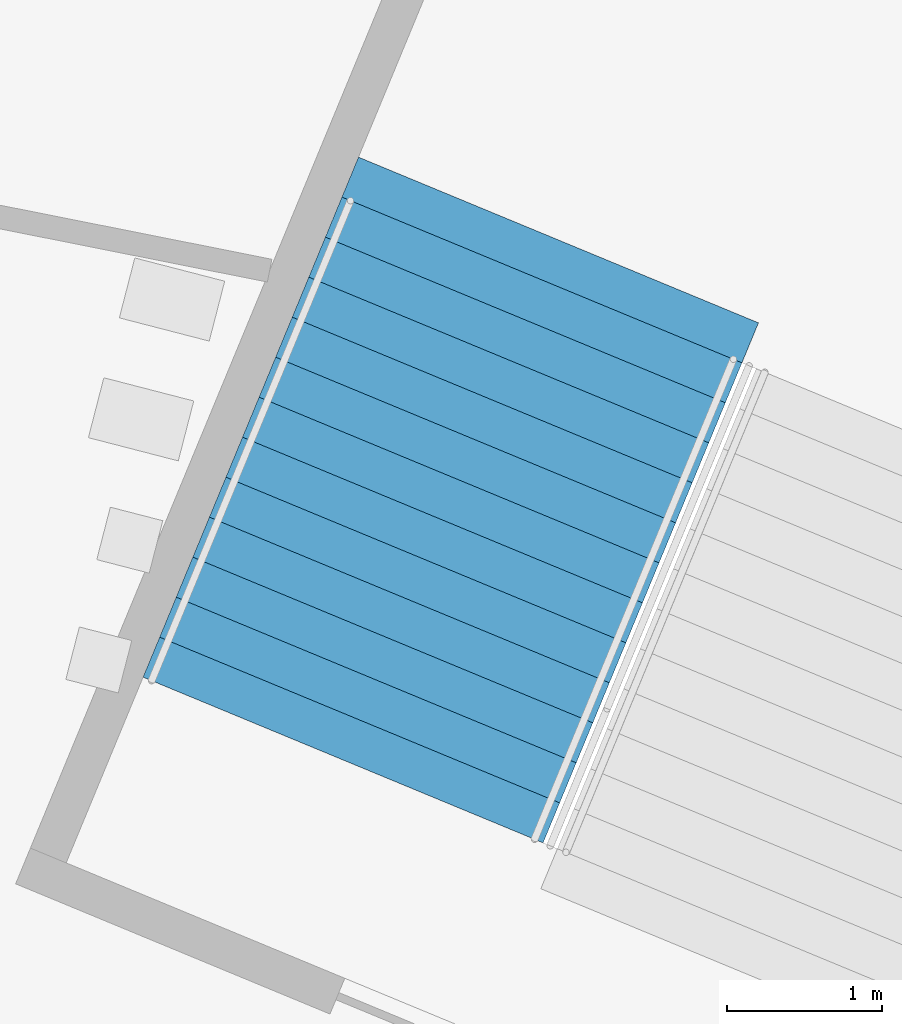
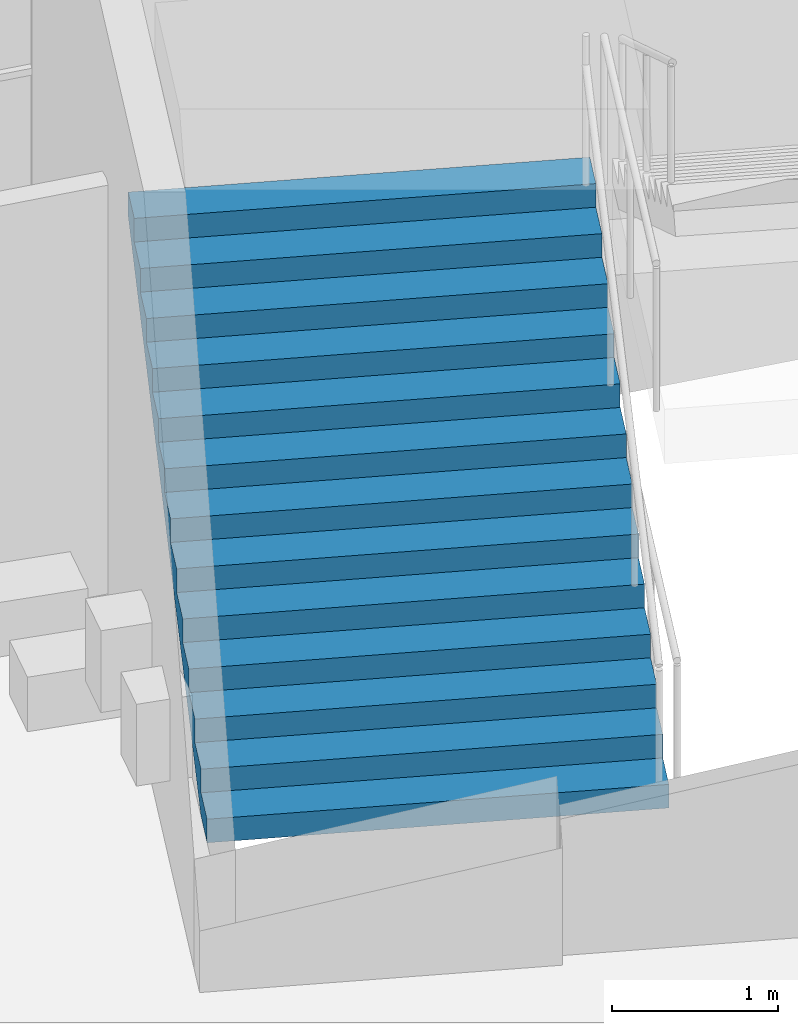
# One storey, part 160 of 177: 1 stair flight, 1 element without a shape of its own.
"""IFC4 building model written with IfcOpenShell, lengths in metres."""

from ifc_helpers import new_model, si_unit, direction, frame, origin, place, context, subcontext, project, spatial, faceted_brep, material, type_object, element, aggregate, save


model = new_model("IFC4")

# Units and contexts
model_context = context("Model", 3, precision=1e-05, world=origin(), true_north=direction((0.0, 1.0)))
body_context = subcontext(model_context, "Body", "Model", "MODEL_VIEW")
ifc_project = project(units=[si_unit("LENGTHUNIT", "METRE"), si_unit("AREAUNIT", "SQUARE_METRE"), si_unit("VOLUMEUNIT", "CUBIC_METRE"), si_unit("PLANEANGLEUNIT", "RADIAN"), si_unit("MASSUNIT", "GRAM", prefix="KILO")], contexts=[model_context])

# Site, building, storey
site_placement = place(None, origin())
site = spatial("IfcSite", under=ifc_project, at=site_placement, CompositionType="ELEMENT")
building_placement = place(site_placement, origin())
building = spatial("IfcBuilding", under=site, at=building_placement, Name="Ogive Plaza Stadium", CompositionType="ELEMENT")
storey_placement = place(building_placement, frame((0.0, 0.0, 18.0)))
storey = spatial("IfcBuildingStorey", under=building, at=storey_placement, Name="L04", CompositionType="ELEMENT", Elevation=18.0)

# Stair, stair flight
ifc_material_1 = material(Name="Concrete C40/50", Category="concrete")
stair_type = type_object("IfcStairType", Name="Exit stair", PredefinedType="STRAIGHT_RUN_STAIR", material=ifc_material_1)
stair_placement = place(storey_placement, origin())
stair = element("IfcStair", 1, at=stair_placement, inside=storey, type_object=stair_type, Name="Exit stair ST38B L04 to L05", PredefinedType="STRAIGHT_RUN_STAIR")
ifc_material_2 = material(Name="Concrete C40/50", Category="concrete")
stair_flight_type = type_object("IfcStairFlightType", Name="Exit stair flight", PredefinedType="STRAIGHT", material=ifc_material_2)
stair_flight_placement = place(storey_placement, frame((46.118408203125, 93.319580078125, 0.0), z_axis=(0.0, 0.0, 1.0), x_axis=(0.382683432365, 0.923879532511, 0.0)))
stair_flight = element("IfcStairFlight", 2, at=stair_flight_placement, type_object=stair_flight_type, Name="ST38B flight 1", NumberOfRisers=13, NumberOfTreads=12, PredefinedType="STRAIGHT", RiserHeight=0.173076923, TreadLength=0.28, context=body_context, shape_type="Brep", body=[
    faceted_brep([(0.28515625, -1.39990234375, 0.0), (3.639892578125, -1.39990234375, 2.07373046875), (3.639892578125, -1.39990234375, 2.25), (3.360107421875, -1.39990234375, 2.25), (3.360107421875, -1.39990234375, 2.076904296875), (3.080078125, -1.39990234375, 2.076904296875), (3.080078125, -1.39990234375, 1.90380859375), (2.800048828125, -1.39990234375, 1.90380859375), (2.800048828125, -1.39990234375, 1.730712890625), (2.52001953125, -1.39990234375, 1.730712890625), (2.52001953125, -1.39990234375, 1.5576171875), (2.239990234375, -1.39990234375, 1.5576171875), (2.239990234375, -1.39990234375, 1.384521484375), (1.9599609375, -1.39990234375, 1.384521484375), (1.9599609375, -1.39990234375, 1.21142578125), (1.679931640625, -1.39990234375, 1.21142578125), (1.679931640625, -1.39990234375, 1.03857421875), (1.39990234375, -1.39990234375, 1.03857421875), (1.39990234375, -1.39990234375, 0.865478515625), (1.1201171875, -1.39990234375, 0.865478515625), (1.1201171875, -1.39990234375, 0.6923828125), (0.840087890625, -1.39990234375, 0.6923828125), (0.840087890625, -1.39990234375, 0.519287109375), (0.56005859375, -1.39990234375, 0.519287109375), (0.56005859375, -1.39990234375, 0.34619140625), (0.280029296875, -1.39990234375, 0.34619140625), (0.280029296875, -1.39990234375, 0.173095703125), (0.0, -1.39990234375, 0.173095703125), (0.0, -1.39990234375, 0.0), (0.0, 1.39990234375, 0.0), (0.0, 1.39990234375, 0.173095703125), (0.280029296875, 1.39990234375, 0.173095703125), (0.280029296875, 1.39990234375, 0.34619140625), (0.56005859375, 1.39990234375, 0.34619140625), (0.56005859375, 1.39990234375, 0.519287109375), (0.840087890625, 1.39990234375, 0.519287109375), (0.840087890625, 1.39990234375, 0.6923828125), (1.1201171875, 1.39990234375, 0.6923828125), (1.1201171875, 1.39990234375, 0.865478515625), (1.39990234375, 1.39990234375, 0.865478515625), (1.39990234375, 1.39990234375, 1.03857421875), (1.679931640625, 1.39990234375, 1.03857421875), (1.679931640625, 1.39990234375, 1.21142578125), (1.9599609375, 1.39990234375, 1.21142578125), (1.9599609375, 1.39990234375, 1.384521484375), (2.239990234375, 1.39990234375, 1.384521484375), (2.239990234375, 1.39990234375, 1.5576171875), (2.52001953125, 1.39990234375, 1.5576171875), (2.52001953125, 1.39990234375, 1.730712890625), (2.800048828125, 1.39990234375, 1.730712890625), (2.800048828125, 1.39990234375, 1.90380859375), (3.080078125, 1.39990234375, 1.90380859375), (3.080078125, 1.39990234375, 2.076904296875), (3.360107421875, 1.39990234375, 2.076904296875), (3.360107421875, 1.39990234375, 2.25), (3.639892578125, 1.39990234375, 2.25), (3.639892578125, 1.39990234375, 2.07373046875), (0.28515625, 1.39990234375, 0.0), (0.28515625, -1.0888671875, 0.0), (3.639892578125, -1.0888671875, 2.07373046875), (0.28515625, -0.77783203125, 0.0), (3.639892578125, -0.77783203125, 2.07373046875), (0.28515625, -0.466796875, 0.0), (3.639892578125, -0.466796875, 2.07373046875), (0.28515625, -0.155517578125, 0.0), (3.639892578125, -0.155517578125, 2.07373046875), (0.28515625, 0.155517578125, 0.0), (3.639892578125, 0.155517578125, 2.07373046875), (0.28515625, 0.466796875, 0.0), (3.639892578125, 0.466796875, 2.07373046875), (0.28515625, 0.77783203125, 0.0), (3.639892578125, 0.77783203125, 2.07373046875), (0.28515625, 1.0888671875, 0.0), (3.639892578125, 1.0888671875, 2.07373046875), (3.639892578125, -1.0888671875, 2.25), (3.639892578125, -0.77783203125, 2.25), (3.639892578125, -0.466796875, 2.25), (3.639892578125, -0.155517578125, 2.25), (3.639892578125, 0.155517578125, 2.25), (3.639892578125, 0.466796875, 2.25), (3.639892578125, 0.77783203125, 2.25), (3.639892578125, 1.0888671875, 2.25), (3.360107421875, -1.0888671875, 2.25), (3.360107421875, -0.77783203125, 2.25), (3.360107421875, -0.466796875, 2.25), (3.360107421875, -0.155517578125, 2.25), (3.360107421875, 0.155517578125, 2.25), (3.360107421875, 0.466796875, 2.25), (3.360107421875, 0.77783203125, 2.25), (3.360107421875, 1.0888671875, 2.25), (3.360107421875, -1.0888671875, 2.076904296875), (3.360107421875, -0.77783203125, 2.076904296875), (3.360107421875, -0.466796875, 2.076904296875), (3.360107421875, -0.155517578125, 2.076904296875), (3.360107421875, 0.155517578125, 2.076904296875), (3.360107421875, 0.466796875, 2.076904296875), (3.360107421875, 0.77783203125, 2.076904296875), (3.360107421875, 1.0888671875, 2.076904296875), (3.080078125, -1.0888671875, 2.076904296875), (3.080078125, -0.77783203125, 2.076904296875), (3.080078125, -0.466796875, 2.076904296875), (3.080078125, -0.155517578125, 2.076904296875), (3.080078125, 0.155517578125, 2.076904296875), (3.080078125, 0.466796875, 2.076904296875), (3.080078125, 0.77783203125, 2.076904296875), (3.080078125, 1.0888671875, 2.076904296875), (3.080078125, -1.0888671875, 1.90380859375), (3.080078125, -0.77783203125, 1.90380859375), (3.080078125, -0.466796875, 1.90380859375), (3.080078125, -0.155517578125, 1.90380859375), (3.080078125, 0.155517578125, 1.90380859375), (3.080078125, 0.466796875, 1.90380859375), (3.080078125, 0.77783203125, 1.90380859375), (3.080078125, 1.0888671875, 1.90380859375), (2.800048828125, -1.0888671875, 1.90380859375), (2.800048828125, -0.77783203125, 1.90380859375), (2.800048828125, -0.466796875, 1.90380859375), (2.800048828125, -0.155517578125, 1.90380859375), (2.800048828125, 0.155517578125, 1.90380859375), (2.800048828125, 0.466796875, 1.90380859375), (2.800048828125, 0.77783203125, 1.90380859375), (2.800048828125, 1.0888671875, 1.90380859375), (2.800048828125, -1.0888671875, 1.730712890625), (2.800048828125, -0.77783203125, 1.730712890625), (2.800048828125, -0.466796875, 1.730712890625), (2.800048828125, -0.155517578125, 1.730712890625), (2.800048828125, 0.155517578125, 1.730712890625), (2.800048828125, 0.466796875, 1.730712890625), (2.800048828125, 0.77783203125, 1.730712890625), (2.800048828125, 1.0888671875, 1.730712890625), (2.52001953125, -1.0888671875, 1.730712890625), (2.52001953125, -0.77783203125, 1.730712890625), (2.52001953125, -0.466796875, 1.730712890625), (2.52001953125, -0.155517578125, 1.730712890625), (2.52001953125, 0.155517578125, 1.730712890625), (2.52001953125, 0.466796875, 1.730712890625), (2.52001953125, 0.77783203125, 1.730712890625), (2.52001953125, 1.0888671875, 1.730712890625), (2.52001953125, -1.0888671875, 1.5576171875), (2.52001953125, -0.77783203125, 1.5576171875), (2.52001953125, -0.466796875, 1.5576171875), (2.52001953125, -0.155517578125, 1.5576171875), (2.52001953125, 0.155517578125, 1.5576171875), (2.52001953125, 0.466796875, 1.5576171875), (2.52001953125, 0.77783203125, 1.5576171875), (2.52001953125, 1.0888671875, 1.5576171875), (2.239990234375, -1.0888671875, 1.5576171875), (2.239990234375, -0.77783203125, 1.5576171875), (2.239990234375, -0.466796875, 1.5576171875), (2.239990234375, -0.155517578125, 1.5576171875), (2.239990234375, 0.155517578125, 1.5576171875), (2.239990234375, 0.466796875, 1.5576171875), (2.239990234375, 0.77783203125, 1.5576171875), (2.239990234375, 1.0888671875, 1.5576171875), (2.239990234375, -1.0888671875, 1.384521484375), (2.239990234375, -0.77783203125, 1.384521484375), (2.239990234375, -0.466796875, 1.384521484375), (2.239990234375, -0.155517578125, 1.384521484375), (2.239990234375, 0.155517578125, 1.384521484375), (2.239990234375, 0.466796875, 1.384521484375), (2.239990234375, 0.77783203125, 1.384521484375), (2.239990234375, 1.0888671875, 1.384521484375), (1.9599609375, -1.0888671875, 1.384521484375), (1.9599609375, -0.77783203125, 1.384521484375), (1.9599609375, -0.466796875, 1.384521484375), (1.9599609375, -0.155517578125, 1.384521484375), (1.9599609375, 0.155517578125, 1.384521484375), (1.9599609375, 0.466796875, 1.384521484375), (1.9599609375, 0.77783203125, 1.384521484375), (1.9599609375, 1.0888671875, 1.384521484375), (1.9599609375, -1.0888671875, 1.21142578125), (1.9599609375, -0.77783203125, 1.21142578125), (1.9599609375, -0.466796875, 1.21142578125), (1.9599609375, -0.155517578125, 1.21142578125), (1.9599609375, 0.155517578125, 1.21142578125), (1.9599609375, 0.466796875, 1.21142578125), (1.9599609375, 0.77783203125, 1.21142578125), (1.9599609375, 1.0888671875, 1.21142578125), (1.679931640625, -1.0888671875, 1.21142578125), (1.679931640625, -0.77783203125, 1.21142578125), (1.679931640625, -0.466796875, 1.21142578125), (1.679931640625, -0.155517578125, 1.21142578125), (1.679931640625, 0.155517578125, 1.21142578125), (1.679931640625, 0.466796875, 1.21142578125), (1.679931640625, 0.77783203125, 1.21142578125), (1.679931640625, 1.0888671875, 1.21142578125), (1.679931640625, -1.0888671875, 1.03857421875), (1.679931640625, -0.77783203125, 1.03857421875), (1.679931640625, -0.466796875, 1.03857421875), (1.679931640625, -0.155517578125, 1.03857421875), (1.679931640625, 0.155517578125, 1.03857421875), (1.679931640625, 0.466796875, 1.03857421875), (1.679931640625, 0.77783203125, 1.03857421875), (1.679931640625, 1.0888671875, 1.03857421875), (1.39990234375, -1.0888671875, 1.03857421875), (1.39990234375, -0.77783203125, 1.03857421875), (1.39990234375, -0.466796875, 1.03857421875), (1.39990234375, -0.155517578125, 1.03857421875), (1.39990234375, 0.155517578125, 1.03857421875), (1.39990234375, 0.466796875, 1.03857421875), (1.39990234375, 0.77783203125, 1.03857421875), (1.39990234375, 1.0888671875, 1.03857421875), (1.39990234375, -1.0888671875, 0.865478515625), (1.39990234375, -0.77783203125, 0.865478515625), (1.39990234375, -0.466796875, 0.865478515625), (1.39990234375, -0.155517578125, 0.865478515625), (1.39990234375, 0.155517578125, 0.865478515625), (1.39990234375, 0.466796875, 0.865478515625), (1.39990234375, 0.77783203125, 0.865478515625), (1.39990234375, 1.0888671875, 0.865478515625), (1.1201171875, -1.0888671875, 0.865478515625), (1.1201171875, -0.77783203125, 0.865478515625), (1.1201171875, -0.466796875, 0.865478515625), (1.1201171875, -0.155517578125, 0.865478515625), (1.1201171875, 0.155517578125, 0.865478515625), (1.1201171875, 0.466796875, 0.865478515625), (1.1201171875, 0.77783203125, 0.865478515625), (1.1201171875, 1.0888671875, 0.865478515625), (1.1201171875, -1.0888671875, 0.6923828125), (1.1201171875, -0.77783203125, 0.6923828125), (1.1201171875, -0.466796875, 0.6923828125), (1.1201171875, -0.155517578125, 0.6923828125), (1.1201171875, 0.155517578125, 0.6923828125), (1.1201171875, 0.466796875, 0.6923828125), (1.1201171875, 0.77783203125, 0.6923828125), (1.1201171875, 1.0888671875, 0.6923828125), (0.840087890625, -1.0888671875, 0.6923828125), (0.840087890625, -0.77783203125, 0.6923828125), (0.840087890625, -0.466796875, 0.6923828125), (0.840087890625, -0.155517578125, 0.6923828125), (0.840087890625, 0.155517578125, 0.6923828125), (0.840087890625, 0.466796875, 0.6923828125), (0.840087890625, 0.77783203125, 0.6923828125), (0.840087890625, 1.0888671875, 0.6923828125), (0.840087890625, -1.0888671875, 0.519287109375), (0.840087890625, -0.77783203125, 0.519287109375), (0.840087890625, -0.466796875, 0.519287109375), (0.840087890625, -0.155517578125, 0.519287109375), (0.840087890625, 0.155517578125, 0.519287109375), (0.840087890625, 0.466796875, 0.519287109375), (0.840087890625, 0.77783203125, 0.519287109375), (0.840087890625, 1.0888671875, 0.519287109375), (0.56005859375, -1.0888671875, 0.519287109375), (0.56005859375, -0.77783203125, 0.519287109375), (0.56005859375, -0.466796875, 0.519287109375), (0.56005859375, -0.155517578125, 0.519287109375), (0.56005859375, 0.155517578125, 0.519287109375), (0.56005859375, 0.466796875, 0.519287109375), (0.56005859375, 0.77783203125, 0.519287109375), (0.56005859375, 1.0888671875, 0.519287109375), (0.56005859375, -1.0888671875, 0.34619140625), (0.56005859375, -0.77783203125, 0.34619140625), (0.56005859375, -0.466796875, 0.34619140625), (0.56005859375, -0.155517578125, 0.34619140625), (0.56005859375, 0.155517578125, 0.34619140625), (0.56005859375, 0.466796875, 0.34619140625), (0.56005859375, 0.77783203125, 0.34619140625), (0.56005859375, 1.0888671875, 0.34619140625), (0.280029296875, -1.0888671875, 0.34619140625), (0.280029296875, -0.77783203125, 0.34619140625), (0.280029296875, -0.466796875, 0.34619140625), (0.280029296875, -0.155517578125, 0.34619140625), (0.280029296875, 0.155517578125, 0.34619140625), (0.280029296875, 0.466796875, 0.34619140625), (0.280029296875, 0.77783203125, 0.34619140625), (0.280029296875, 1.0888671875, 0.34619140625), (0.280029296875, -1.0888671875, 0.173095703125), (0.280029296875, -0.77783203125, 0.173095703125), (0.280029296875, -0.466796875, 0.173095703125), (0.280029296875, -0.155517578125, 0.173095703125), (0.280029296875, 0.155517578125, 0.173095703125), (0.280029296875, 0.466796875, 0.173095703125), (0.280029296875, 0.77783203125, 0.173095703125), (0.280029296875, 1.0888671875, 0.173095703125), (0.0, -1.0888671875, 0.173095703125), (0.0, -0.77783203125, 0.173095703125), (0.0, -0.466796875, 0.173095703125), (0.0, -0.155517578125, 0.173095703125), (0.0, 0.155517578125, 0.173095703125), (0.0, 0.466796875, 0.173095703125), (0.0, 0.77783203125, 0.173095703125), (0.0, 1.0888671875, 0.173095703125), (0.0, -1.0888671875, 0.0), (0.0, -0.77783203125, 0.0), (0.0, -0.466796875, 0.0), (0.0, -0.155517578125, 0.0), (0.0, 0.155517578125, 0.0), (0.0, 0.466796875, 0.0), (0.0, 0.77783203125, 0.0), (0.0, 1.0888671875, 0.0)], [[[0, 1, 2, 3, 4, 5, 6, 7, 8, 9, 10, 11, 12, 13, 14, 15, 16, 17, 18, 19, 20, 21, 22, 23, 24, 25, 26, 27, 28]], [[29, 30, 31, 32, 33, 34, 35, 36, 37, 38, 39, 40, 41, 42, 43, 44, 45, 46, 47, 48, 49, 50, 51, 52, 53, 54, 55, 56, 57]], [[0, 58, 59, 1]], [[58, 60, 61, 59]], [[60, 62, 63, 61]], [[62, 64, 65, 63]], [[64, 66, 67, 65]], [[66, 68, 69, 67]], [[68, 70, 71, 69]], [[70, 72, 73, 71]], [[72, 57, 56, 73]], [[1, 59, 74, 2]], [[59, 61, 75, 74]], [[61, 63, 76, 75]], [[63, 65, 77, 76]], [[65, 67, 78, 77]], [[67, 69, 79, 78]], [[69, 71, 80, 79]], [[71, 73, 81, 80]], [[73, 56, 55, 81]], [[2, 74, 82, 3]], [[74, 75, 83, 82]], [[75, 76, 84, 83]], [[76, 77, 85, 84]], [[77, 78, 86, 85]], [[78, 79, 87, 86]], [[79, 80, 88, 87]], [[80, 81, 89, 88]], [[81, 55, 54, 89]], [[3, 82, 90, 4]], [[82, 83, 91, 90]], [[83, 84, 92, 91]], [[84, 85, 93, 92]], [[85, 86, 94, 93]], [[86, 87, 95, 94]], [[87, 88, 96, 95]], [[88, 89, 97, 96]], [[89, 54, 53, 97]], [[4, 90, 98, 5]], [[90, 91, 99, 98]], [[91, 92, 100, 99]], [[92, 93, 101, 100]], [[93, 94, 102, 101]], [[94, 95, 103, 102]], [[95, 96, 104, 103]], [[96, 97, 105, 104]], [[97, 53, 52, 105]], [[5, 98, 106, 6]], [[98, 99, 107, 106]], [[99, 100, 108, 107]], [[100, 101, 109, 108]], [[101, 102, 110, 109]], [[102, 103, 111, 110]], [[103, 104, 112, 111]], [[104, 105, 113, 112]], [[105, 52, 51, 113]], [[6, 106, 114, 7]], [[106, 107, 115, 114]], [[107, 108, 116, 115]], [[108, 109, 117, 116]], [[109, 110, 118, 117]], [[110, 111, 119, 118]], [[111, 112, 120, 119]], [[112, 113, 121, 120]], [[113, 51, 50, 121]], [[7, 114, 122, 8]], [[114, 115, 123, 122]], [[115, 116, 124, 123]], [[116, 117, 125, 124]], [[117, 118, 126, 125]], [[118, 119, 127, 126]], [[119, 120, 128, 127]], [[120, 121, 129, 128]], [[121, 50, 49, 129]], [[8, 122, 130, 9]], [[122, 123, 131, 130]], [[123, 124, 132, 131]], [[124, 125, 133, 132]], [[125, 126, 134, 133]], [[126, 127, 135, 134]], [[127, 128, 136, 135]], [[128, 129, 137, 136]], [[129, 49, 48, 137]], [[9, 130, 138, 10]], [[130, 131, 139, 138]], [[131, 132, 140, 139]], [[132, 133, 141, 140]], [[133, 134, 142, 141]], [[134, 135, 143, 142]], [[135, 136, 144, 143]], [[136, 137, 145, 144]], [[137, 48, 47, 145]], [[10, 138, 146, 11]], [[138, 139, 147, 146]], [[139, 140, 148, 147]], [[140, 141, 149, 148]], [[141, 142, 150, 149]], [[142, 143, 151, 150]], [[143, 144, 152, 151]], [[144, 145, 153, 152]], [[145, 47, 46, 153]], [[11, 146, 154, 12]], [[146, 147, 155, 154]], [[147, 148, 156, 155]], [[148, 149, 157, 156]], [[149, 150, 158, 157]], [[150, 151, 159, 158]], [[151, 152, 160, 159]], [[152, 153, 161, 160]], [[153, 46, 45, 161]], [[12, 154, 162, 13]], [[154, 155, 163, 162]], [[155, 156, 164, 163]], [[156, 157, 165, 164]], [[157, 158, 166, 165]], [[158, 159, 167, 166]], [[159, 160, 168, 167]], [[160, 161, 169, 168]], [[161, 45, 44, 169]], [[13, 162, 170, 14]], [[162, 163, 171, 170]], [[163, 164, 172, 171]], [[164, 165, 173, 172]], [[165, 166, 174, 173]], [[166, 167, 175, 174]], [[167, 168, 176, 175]], [[168, 169, 177, 176]], [[169, 44, 43, 177]], [[14, 170, 178, 15]], [[170, 171, 179, 178]], [[171, 172, 180, 179]], [[172, 173, 181, 180]], [[173, 174, 182, 181]], [[174, 175, 183, 182]], [[175, 176, 184, 183]], [[176, 177, 185, 184]], [[177, 43, 42, 185]], [[15, 178, 186, 16]], [[178, 179, 187, 186]], [[179, 180, 188, 187]], [[180, 181, 189, 188]], [[181, 182, 190, 189]], [[182, 183, 191, 190]], [[183, 184, 192, 191]], [[184, 185, 193, 192]], [[185, 42, 41, 193]], [[16, 186, 194, 17]], [[186, 187, 195, 194]], [[187, 188, 196, 195]], [[188, 189, 197, 196]], [[189, 190, 198, 197]], [[190, 191, 199, 198]], [[191, 192, 200, 199]], [[192, 193, 201, 200]], [[193, 41, 40, 201]], [[17, 194, 202, 18]], [[194, 195, 203, 202]], [[195, 196, 204, 203]], [[196, 197, 205, 204]], [[197, 198, 206, 205]], [[198, 199, 207, 206]], [[199, 200, 208, 207]], [[200, 201, 209, 208]], [[201, 40, 39, 209]], [[18, 202, 210, 19]], [[202, 203, 211, 210]], [[203, 204, 212, 211]], [[204, 205, 213, 212]], [[205, 206, 214, 213]], [[206, 207, 215, 214]], [[207, 208, 216, 215]], [[208, 209, 217, 216]], [[209, 39, 38, 217]], [[19, 210, 218, 20]], [[210, 211, 219, 218]], [[211, 212, 220, 219]], [[212, 213, 221, 220]], [[213, 214, 222, 221]], [[214, 215, 223, 222]], [[215, 216, 224, 223]], [[216, 217, 225, 224]], [[217, 38, 37, 225]], [[20, 218, 226, 21]], [[218, 219, 227, 226]], [[219, 220, 228, 227]], [[220, 221, 229, 228]], [[221, 222, 230, 229]], [[222, 223, 231, 230]], [[223, 224, 232, 231]], [[224, 225, 233, 232]], [[225, 37, 36, 233]], [[21, 226, 234, 22]], [[226, 227, 235, 234]], [[227, 228, 236, 235]], [[228, 229, 237, 236]], [[229, 230, 238, 237]], [[230, 231, 239, 238]], [[231, 232, 240, 239]], [[232, 233, 241, 240]], [[233, 36, 35, 241]], [[22, 234, 242, 23]], [[234, 235, 243, 242]], [[235, 236, 244, 243]], [[236, 237, 245, 244]], [[237, 238, 246, 245]], [[238, 239, 247, 246]], [[239, 240, 248, 247]], [[240, 241, 249, 248]], [[241, 35, 34, 249]], [[23, 242, 250, 24]], [[242, 243, 251, 250]], [[243, 244, 252, 251]], [[244, 245, 253, 252]], [[245, 246, 254, 253]], [[246, 247, 255, 254]], [[247, 248, 256, 255]], [[248, 249, 257, 256]], [[249, 34, 33, 257]], [[24, 250, 258, 25]], [[250, 251, 259, 258]], [[251, 252, 260, 259]], [[252, 253, 261, 260]], [[253, 254, 262, 261]], [[254, 255, 263, 262]], [[255, 256, 264, 263]], [[256, 257, 265, 264]], [[257, 33, 32, 265]], [[25, 258, 266, 26]], [[258, 259, 267, 266]], [[259, 260, 268, 267]], [[260, 261, 269, 268]], [[261, 262, 270, 269]], [[262, 263, 271, 270]], [[263, 264, 272, 271]], [[264, 265, 273, 272]], [[265, 32, 31, 273]], [[26, 266, 274, 27]], [[266, 267, 275, 274]], [[267, 268, 276, 275]], [[268, 269, 277, 276]], [[269, 270, 278, 277]], [[270, 271, 279, 278]], [[271, 272, 280, 279]], [[272, 273, 281, 280]], [[273, 31, 30, 281]], [[27, 274, 282, 28]], [[274, 275, 283, 282]], [[275, 276, 284, 283]], [[276, 277, 285, 284]], [[277, 278, 286, 285]], [[278, 279, 287, 286]], [[279, 280, 288, 287]], [[280, 281, 289, 288]], [[281, 30, 29, 289]], [[28, 282, 58, 0]], [[282, 283, 60, 58]], [[283, 284, 62, 60]], [[284, 285, 64, 62]], [[285, 286, 66, 64]], [[286, 287, 68, 66]], [[287, 288, 70, 68]], [[288, 289, 72, 70]], [[289, 29, 57, 72]]]),
])
aggregate(stair, [stair_flight])

save(model, "model.ifc")
